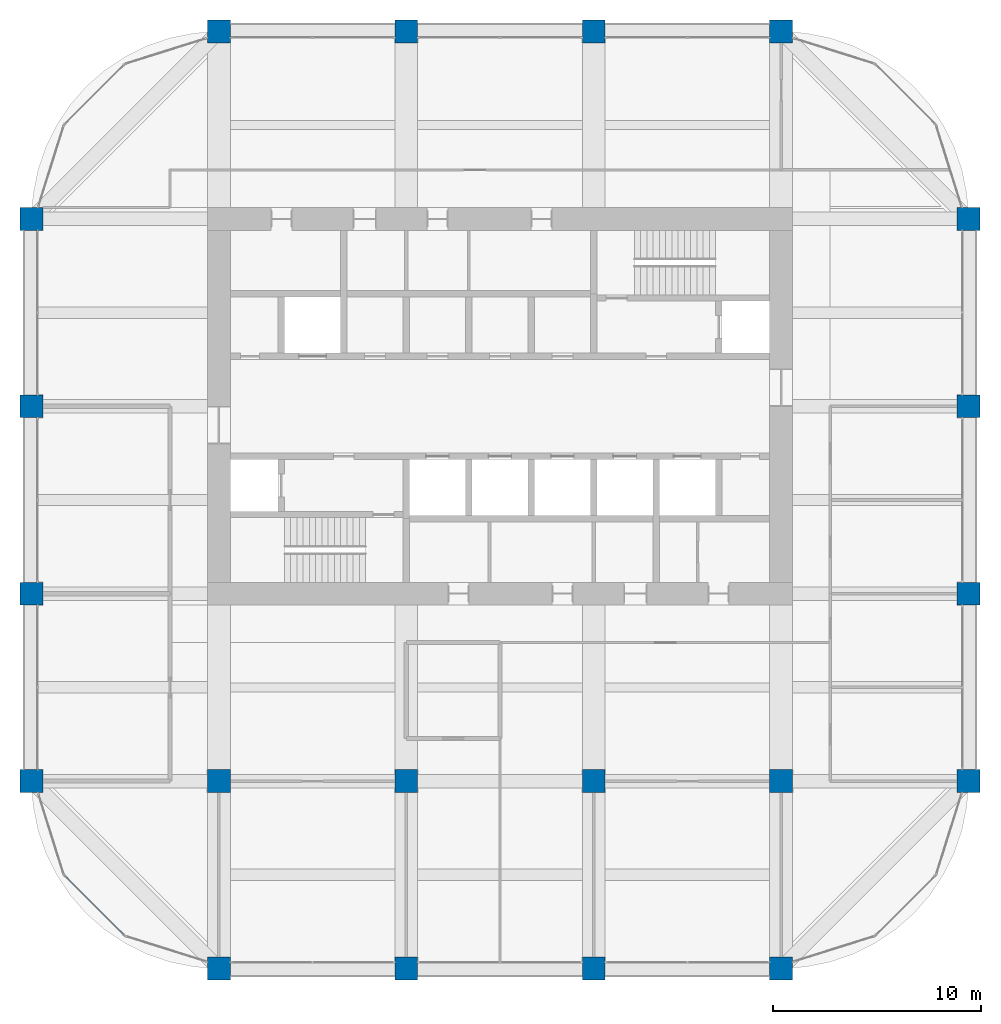
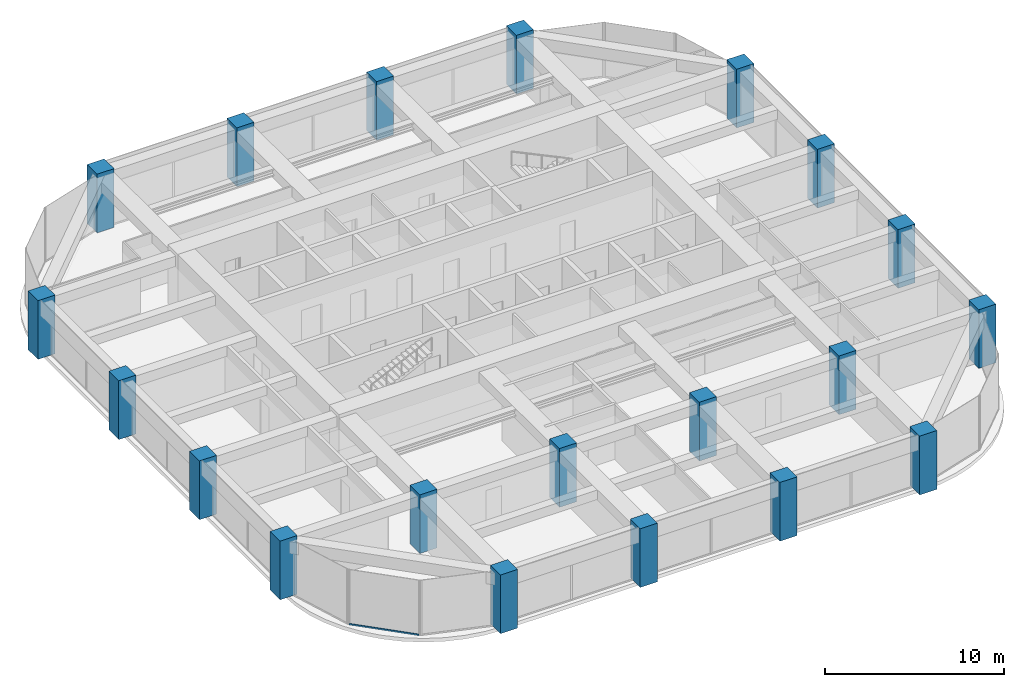
# One storey, part 1 of 44: 20 columns, 1 member, 1 element without a shape of its own.
"""IFC4 building model written with IfcOpenShell, lengths in metres."""

from ifc_helpers import new_model, si_unit, direction, frame, origin, origin_2d, place, context, subcontext, project, spatial, rectangle, hollow_rectangle, extrude, material, material_profile, profile_set, type_object, element, aggregate, save


model = new_model("IFC4")

# Units and contexts
model_context = context("Model", 3, precision=1e-05, world=origin(), true_north=direction((0.0, 1.0)))
body_context = subcontext(model_context, "Body", "Model", "MODEL_VIEW")
ifc_project = project(units=[si_unit("LENGTHUNIT", "METRE"), si_unit("AREAUNIT", "SQUARE_METRE"), si_unit("VOLUMEUNIT", "CUBIC_METRE"), si_unit("PLANEANGLEUNIT", "RADIAN"), si_unit("MASSUNIT", "GRAM", prefix="KILO")], contexts=[model_context])

# Site, building, storey
site_placement = place(None, origin())
site = spatial("IfcSite", under=ifc_project, at=site_placement, CompositionType="ELEMENT")
building_placement = place(site_placement, origin())
building = spatial("IfcBuilding", under=site, at=building_placement, Name="Zorevar Civic Tower", CompositionType="ELEMENT")
storey_placement = place(building_placement, frame((0.0, 0.0, 267.39990234375)))
storey = spatial("IfcBuildingStorey", under=building, at=storey_placement, Name="L65", CompositionType="ELEMENT", Elevation=267.39990234375)

# Columns
ifc_material_1 = material(Name="Concrete C50/60", Category="concrete")
ifc_material_profile_1 = material_profile(ifc_material_1, rectangle(XDim=1.10009765625, YDim=1.10009765625, at=origin_2d()), Name="RC 1100x1100")
ifc_profile_set_1 = profile_set([ifc_material_profile_1], Name="Concrete C50/60")
column_type = type_object("IfcColumnType", Name="Column RC 1100x1100", PredefinedType="COLUMN", material=ifc_profile_set_1)
for number, where, z_axis, x_axis, name in (
    (1, (9.0, 9.0, 0.0), (0.0, 0.0, 1.0), (1.0, 0.0, 0.0), "Column 3B L65"),
    (2, (9.0, 18.0, 0.0), (0.0, 0.0, 1.0), (1.0, 0.0, 0.0), "Column 3C L65"),
    (3, (9.0, 27.0, 0.0), (0.0, 0.0, 1.0), (1.0, 0.0, 0.0), "Column 3D L65"),
    (4, (9.0, 36.0, 0.0), (0.0, 0.0, 1.0), (1.0, 0.0, 0.0), "Column 3E L65"),
    (5, (18.0, 0.0, 0.0), (0.0, 0.0, 1.0), (1.0, 0.0, 0.0), "Column 4A L65"),
    (6, (18.0, 9.0, 0.0), (0.0, 0.0, 1.0), (1.0, 0.0, 0.0), "Column 4B L65"),
    (7, (18.0, 45.0, 0.0), (0.0, 0.0, 1.0), (1.0, 0.0, 0.0), "Column 4F L65"),
    (8, (27.0, 0.0, 0.0), (0.0, 0.0, 1.0), (1.0, 0.0, 0.0), "Column 5A L65"),
    (9, (27.0, 9.0, 0.0), (0.0, 0.0, 1.0), (1.0, 0.0, 0.0), "Column 5B L65"),
    (10, (27.0, 45.0, 0.0), (0.0, 0.0, 1.0), (1.0, 0.0, 0.0), "Column 5F L65"),
    (11, (36.0, 0.0, 0.0), (0.0, 0.0, 1.0), (1.0, 0.0, 0.0), "Column 6A L65"),
    (12, (36.0, 9.0, 0.0), (0.0, 0.0, 1.0), (1.0, 0.0, 0.0), "Column 6B L65"),
    (13, (36.0, 45.0, 0.0), (0.0, 0.0, 1.0), (1.0, 0.0, 0.0), "Column 6F L65"),
    (14, (45.0, 0.0, 0.0), (0.0, 0.0, 1.0), (1.0, 0.0, 0.0), "Column 7A L65"),
    (15, (45.0, 9.0, 0.0), (0.0, 0.0, 1.0), (1.0, 0.0, 0.0), "Column 7B L65"),
    (16, (45.0, 45.0, 0.0), (0.0, 0.0, 1.0), (1.0, 0.0, 0.0), "Column 7F L65"),
    (17, (54.0, 9.0, 0.0), (0.0, 0.0, 1.0), (1.0, 0.0, 0.0), "Column 8B L65"),
    (18, (54.0, 18.0, 0.0), (0.0, 0.0, 1.0), (1.0, 0.0, 0.0), "Column 8C L65"),
    (19, (54.0, 27.0, 0.0), (0.0, 0.0, 1.0), (1.0, 0.0, 0.0), "Column 8D L65"),
    (20, (54.0, 36.0, 0.0), (0.0, 0.0, 1.0), (1.0, 0.0, 0.0), "Column 8E L65"),
):
    element("IfcColumn", number, at=place(storey_placement, frame(where, z_axis=z_axis, x_axis=x_axis)), inside=storey, type_object=column_type, Name=name, PredefinedType="COLUMN", context=body_context, shape_type="SweptSolid", body=[
        extrude(rectangle(XDim=1.10009765625, YDim=1.10009765625, at=origin_2d()), origin(), (0.0, 0.0, 1.0), 4.0),
    ])

# Curtain wall, member
ifc_material_2 = material(Name="Dark grey solar-control glass in black aluminium frame", Category="aluminium")
curtain_wall_type = type_object("IfcCurtainWallType", Name="Curtain wall CW5 top zone", PredefinedType="NOTDEFINED", material=ifc_material_2)
curtain_wall_placement = place(storey_placement, origin())
curtain_wall = element("IfcCurtainWall", 21, at=curtain_wall_placement, inside=storey, type_object=curtain_wall_type, Name="CW5 L65", PredefinedType="NOTDEFINED")
ifc_material_3 = material(Name="Aluminium, black anodised", Category="aluminium")
ifc_material_profile_2 = material_profile(ifc_material_3, hollow_rectangle(XDim=0.06005859375, YDim=0.1201171875, WallThickness=0.0029296875, at=origin_2d()), Name="AL 120x60x3")
ifc_profile_set_2 = profile_set([ifc_material_profile_2], Name="Aluminium, black anodised")
member_type = type_object("IfcMemberType", Name="CW5 transom AL 120x60x3", PredefinedType="USERDEFINED", material=ifc_profile_set_2)
member_placement = place(storey_placement, frame((10.6015625, 4.44970703125, 0.030029296875), z_axis=(0.707106781187, -0.707106781187, 0.0), x_axis=(0.707106781187, 0.707106781187, 0.0)))
member = element("IfcMember", 22, at=member_placement, type_object=member_type, Name="CW5 sill transom", ObjectType="TRANSOM", PredefinedType="USERDEFINED", context=body_context, shape_type="SweptSolid", body=[
    extrude(hollow_rectangle(XDim=0.06005859375, YDim=0.1201171875, WallThickness=0.0029296875, at=origin_2d()), origin(), (0.0, 0.0, 1.0), 4.02783203125),
])
aggregate(curtain_wall, [member])

save(model, "model.ifc")
